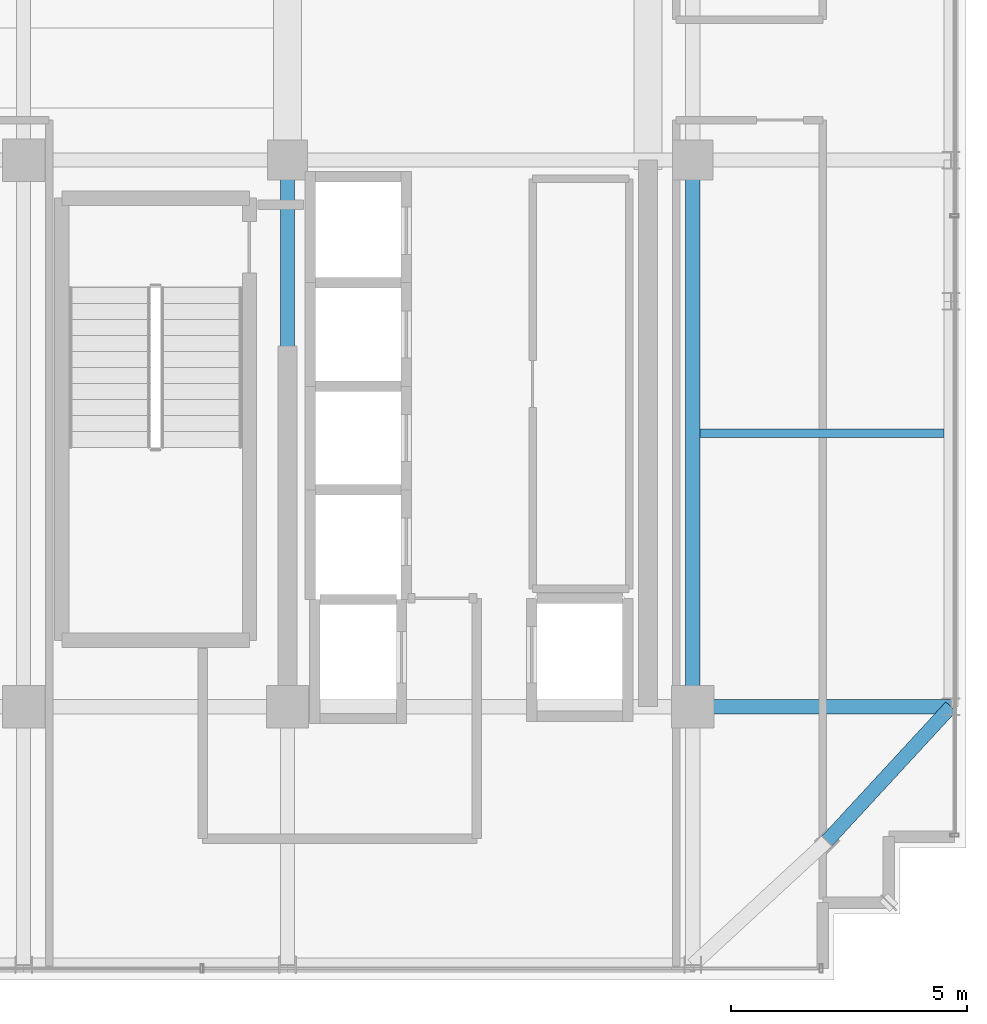
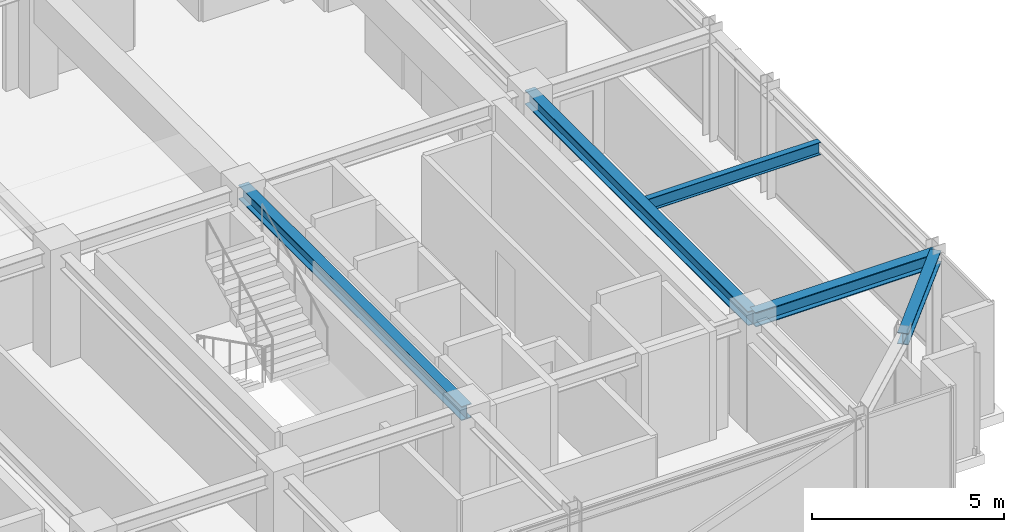
# One storey, part 13 of 36: 5 beams.
"""IFC4 building model written with IfcOpenShell, lengths in metres."""

import ifcopenshell
import ifcopenshell.guid

model = None  # the IFC model being written
_history = None  # IfcOwnerHistory: only IFC2X3 demands one
_inside = {}  # id of a spatial element -> (the spatial element, [elements in it])
_under = {}  # id of a project, library or spatial element -> (it, [spatial elements below it])
_declared = {}  # id of a project -> (the project, [libraries it declares])
_typed = {}  # id of a type object -> (the type object, [elements of that type])
_made_of = {}  # id of a material, layer set ... -> (it, [elements and type objects made of it])


def new_model(schema):
    """Start an empty IFC model of exactly this schema.

    Asked for "IFC4X3", IfcOpenShell would pick the latest addendum, in which some entities
    have other attributes; the version numbers below select the first issue.
    IFC2X3 requires an IfcOwnerHistory on every rooted entity: one is made here for all.
    """
    global model, _history
    if schema == "IFC4X3":
        model = ifcopenshell.file(schema_version=(4, 3, 0, 0))
    else:
        model = ifcopenshell.file(schema=schema)
    _inside.clear()
    _under.clear()
    _declared.clear()
    _typed.clear()
    _made_of.clear()
    _history = None
    if model.schema == "IFC2X3":
        org = make("IfcOrganization", Name="unknown")
        user = make(
            "IfcPersonAndOrganization",
            ThePerson=make("IfcPerson", FamilyName="unknown"),
            TheOrganization=org,
        )
        app = make(
            "IfcApplication",
            ApplicationDeveloper=org,
            Version="unknown",
            ApplicationFullName="unknown",
            ApplicationIdentifier="unknown",
        )
        _history = make(
            "IfcOwnerHistory",
            OwningUser=user,
            OwningApplication=app,
            ChangeAction="ADDED",
            CreationDate=0,
        )
    return model


def make(cls, **values):
    """One entity of the class cls with the attributes given. An attribute that is None is left unset."""
    return model.create_entity(
        cls, **{name: value for name, value in values.items() if value is not None}
    )


def rooted(cls, **values):
    """An entity with a GlobalId (a new one), such as an element, a storey or a relation."""
    return make(cls, GlobalId=ifcopenshell.guid.new(), OwnerHistory=_history, **values)


def si_unit(unit_type, name, prefix=None):
    """IfcSIUnit, for example si_unit("LENGTHUNIT", "METRE", prefix="MILLI")."""
    return make("IfcSIUnit", UnitType=unit_type, Prefix=prefix, Name=name)


def assignment(units):
    """IfcUnitAssignment: the units of a project."""
    return None if units is None else make("IfcUnitAssignment", Units=units)


def point(xyz):
    """IfcCartesianPoint."""
    return None if xyz is None else make("IfcCartesianPoint", Coordinates=xyz)


def direction(xyz):
    """IfcDirection."""
    return None if xyz is None else make("IfcDirection", DirectionRatios=xyz)


def frame(location, z_axis=None, x_axis=None):
    """IfcAxis2Placement3D, a coordinate frame: its origin and axes. An axis left out is left unset."""
    return make(
        "IfcAxis2Placement3D",
        Location=point(location),
        Axis=direction(z_axis),
        RefDirection=direction(x_axis),
    )


def frame_2d(location, x_axis=None):
    """IfcAxis2Placement2D, a coordinate frame in the plane: its origin and x axis."""
    return make(
        "IfcAxis2Placement2D", Location=point(location), RefDirection=direction(x_axis)
    )


def origin():
    """The frame at (0, 0, 0) with its axes left unset."""
    return frame((0.0, 0.0, 0.0))


def origin_2d():
    """The frame at (0, 0) in the plane with its x axis left unset."""
    return frame_2d((0.0, 0.0))


def place(relative_to, where):
    """IfcLocalPlacement: puts the frame where relative to a parent placement (None: the world)."""
    return make(
        "IfcLocalPlacement", PlacementRelTo=relative_to, RelativePlacement=where
    )


def context(
    kind, dimensions, precision=None, world=None, true_north=None, identifier=None
):
    """IfcGeometricRepresentationContext, for example the 3D "Model" context."""
    return make(
        "IfcGeometricRepresentationContext",
        ContextIdentifier=identifier,
        ContextType=kind,
        CoordinateSpaceDimension=dimensions,
        Precision=precision,
        WorldCoordinateSystem=world,
        TrueNorth=true_north,
    )


def subcontext(parent, identifier, kind, view, scale=None):
    """IfcGeometricRepresentationSubContext, for example "Body" below "Model"."""
    return make(
        "IfcGeometricRepresentationSubContext",
        ContextIdentifier=identifier,
        ContextType=kind,
        ParentContext=parent,
        TargetScale=scale,
        TargetView=view,
    )


def project(units=None, contexts=None):
    """IfcProject with its units and contexts."""
    return rooted(
        "IfcProject",
        Name="project",
        RepresentationContexts=contexts,
        UnitsInContext=assignment(units),
    )


def spatial(cls, under=None, at=None, **own):
    """A site, building, storey or space (cls), placed at a placement, below another one or the project."""
    s = rooted(cls, ObjectPlacement=at, **own)
    if under is not None:
        _under.setdefault(under.id(), (under, []))[1].append(s)
    return s


def profile(cls, at=None, kind="AREA", **sizes):
    """A parametric profile (cls). Its sizes go by their IFC names, for example OverallWidth=200.0."""
    return make(cls, ProfileType=kind, Position=at, **sizes)


def i_section(**sizes):
    """IfcIShapeProfileDef."""
    return profile("IfcIShapeProfileDef", **sizes)


def extrude(swept, where, along, depth):
    """IfcExtrudedAreaSolid: the profile swept, set in the frame where, extruded along a direction by depth."""
    return make(
        "IfcExtrudedAreaSolid",
        SweptArea=swept,
        Position=where,
        ExtrudedDirection=direction(along),
        Depth=depth,
    )


def shape(context_of_items, identifier, shape_type, items):
    """IfcShapeRepresentation: the items that make up one representation, for example the "Body"."""
    return make(
        "IfcShapeRepresentation",
        ContextOfItems=context_of_items,
        RepresentationIdentifier=identifier,
        RepresentationType=shape_type,
        Items=items,
    )


def source(mapping_origin, context_of_items, identifier, shape_type, items):
    """IfcRepresentationMap: a shape defined once, which mapped items show again and again."""
    return make(
        "IfcRepresentationMap",
        MappingOrigin=mapping_origin,
        MappedRepresentation=shape(context_of_items, identifier, shape_type, items),
    )


def transform(
    local_origin,
    x_axis=None,
    y_axis=None,
    z_axis=None,
    scale=None,
    scale2=None,
    scale3=None,
    uniform=True,
):
    """IfcCartesianTransformationOperator3D, or its non-uniform kind. x_axis, y_axis, z_axis: its Axis1, 2, 3."""
    if uniform:
        return make(
            "IfcCartesianTransformationOperator3D",
            Axis1=direction(x_axis),
            Axis2=direction(y_axis),
            LocalOrigin=point(local_origin),
            Scale=scale,
            Axis3=direction(z_axis),
        )
    return make(
        "IfcCartesianTransformationOperator3DnonUniform",
        Axis1=direction(x_axis),
        Axis2=direction(y_axis),
        LocalOrigin=point(local_origin),
        Scale=scale,
        Axis3=direction(z_axis),
        Scale2=scale2,
        Scale3=scale3,
    )


def mapped(mapping_source, mapping_target):
    """IfcMappedItem: shows the shape of a source again, moved by a transform."""
    return make(
        "IfcMappedItem", MappingSource=mapping_source, MappingTarget=mapping_target
    )


def material(Name=None, Category=None):
    """IfcMaterial."""
    return make("IfcMaterial", Name=Name, Category=Category)


def material_profile(
    of_material, cross_section, Name=None, Category=None, Priority=None
):
    """IfcMaterialProfile: a cross section and its material."""
    return make(
        "IfcMaterialProfile",
        Name=Name,
        Material=of_material,
        Profile=cross_section,
        Priority=Priority,
        Category=Category,
    )


def profile_set(profiles, Name=None, composite=None):
    """IfcMaterialProfileSet."""
    return make(
        "IfcMaterialProfileSet",
        Name=Name,
        MaterialProfiles=profiles,
        CompositeProfile=composite,
    )


def made_of(thing, what):
    """Note that an element or type object is made of a material, layer set ...; save() writes the relation."""
    if what is not None:
        _made_of.setdefault(what.id(), (what, []))[1].append(thing)
    return thing


def type_object(cls, material=None, **own):
    """A type object (cls), such as IfcWallType, which elements share."""
    return made_of(rooted(cls, **own), material)


def element(
    cls,
    number,
    at=None,
    inside=None,
    cuts=None,
    type_object=None,
    material=None,
    context=None,
    identifier="Body",
    shape_type=None,
    held_by="IfcProductDefinitionShape",
    body=None,
    shapes=None,
    **own,
):
    """One element of the class cls, such as IfcWall. Its Tag is "e" and its number.

    at: its placement. inside: the storey or other place that contains it. cuts: it is an
    opening in that element (IfcRelVoidsElement). A single representation is given by context,
    identifier, shape_type and body (its items); several are given by shapes. held_by: the class
    of the entity that holds the representations. save() writes the other relations.
    """
    e = rooted(cls, Tag="e%d" % number, ObjectPlacement=at, **own)
    if body is not None:
        shapes = [shape(context, identifier, shape_type, body)]
    if shapes is not None:
        e.Representation = make(held_by, Representations=shapes)
    if inside is not None:
        _inside.setdefault(inside.id(), (inside, []))[1].append(e)
    if cuts is not None:
        rooted(
            "IfcRelVoidsElement", RelatingBuildingElement=cuts, RelatedOpeningElement=e
        )
    if type_object is not None:
        _typed.setdefault(type_object.id(), (type_object, []))[1].append(e)
    return made_of(e, material)


def aggregate(whole, parts):
    """IfcRelAggregates: a whole, such as a stair, and the parts it consists of."""
    return rooted("IfcRelAggregates", RelatingObject=whole, RelatedObjects=parts)


def save(model, path):
    """Write the relations noted so far, then the file.

    IfcRelAggregates (storeys below a building ...), IfcRelContainedInSpatialStructure (elements
    in a storey), IfcRelDefinesByType, IfcRelAssociatesMaterial and IfcRelDeclares: one each for
    every whole, place, type object, material and project.
    """
    for whole, parts in _under.values():
        aggregate(whole, parts)
    for where, things in _inside.values():
        rooted(
            "IfcRelContainedInSpatialStructure",
            RelatedElements=things,
            RelatingStructure=where,
        )
    for kind, things in _typed.values():
        rooted("IfcRelDefinesByType", RelatedObjects=things, RelatingType=kind)
    for what, things in _made_of.values():
        rooted("IfcRelAssociatesMaterial", RelatedObjects=things, RelatingMaterial=what)
    for by, libraries in _declared.values():
        rooted("IfcRelDeclares", RelatingContext=by, RelatedDefinitions=libraries)
    model.write(path)


model = new_model("IFC4")

# Units and contexts
model_context = context("Model", 3, precision=1e-05, world=origin(), true_north=direction((0.0, 1.0)))
body_context = subcontext(model_context, "Body", "Model", "MODEL_VIEW")
ifc_project = project(units=[si_unit("LENGTHUNIT", "METRE"), si_unit("AREAUNIT", "SQUARE_METRE"), si_unit("VOLUMEUNIT", "CUBIC_METRE"), si_unit("PLANEANGLEUNIT", "RADIAN"), si_unit("MASSUNIT", "GRAM", prefix="KILO")], contexts=[model_context])

# Site, building, storey
site_placement = place(None, origin())
site = spatial("IfcSite", under=ifc_project, at=site_placement, CompositionType="ELEMENT")
building_placement = place(site_placement, origin())
building = spatial("IfcBuilding", under=site, at=building_placement, Name="Nahalor Promenade Grand Hotel", CompositionType="ELEMENT")
storey_placement = place(building_placement, frame((0.0, 0.0, 273.800048828125)))
storey = spatial("IfcBuildingStorey", under=building, at=storey_placement, Name="L70", CompositionType="ELEMENT", Elevation=273.800048828125)

# Beams
ifc_material = material(Name="Steel S355JR", Category="steel")
ifc_material_profile_1 = material_profile(ifc_material, i_section(OverallWidth=0.3, OverallDepth=0.45, WebThickness=0.014, FlangeThickness=0.026, at=origin_2d()), Name="HEB 450")
ifc_profile_set_1 = profile_set([ifc_material_profile_1], Name="Steel S355JR")
beam_type_1 = type_object("IfcBeamType", Name="Beam-Girder-HEB450", PredefinedType="BEAM", material=ifc_profile_set_1)
shared_shape_1 = source(origin(), body_context, "Body", "SweptSolid", [
    extrude(i_section(OverallWidth=0.3, OverallDepth=0.45, WebThickness=0.014, FlangeThickness=0.026, at=origin_2d()), origin(), (0.0, 0.0, 1.0), 11.60009765625),
])
for number, where, z_axis, x_axis, name in (
    (1, (8.39990234375, -17.0, 3.224853515625), (0.0, 1.0, 0.0), (-1.0, 0.0, 0.0), "BM-L70-GY-4-1"),
    (2, (17.0, -17.0, 3.224853515625), (0.0, 1.0, 0.0), (-1.0, 0.0, 0.0), "BM-L70-GY-5-1"),
):
    element("IfcBeam", number, at=place(storey_placement, frame(where, z_axis=z_axis, x_axis=x_axis)), inside=storey, type_object=beam_type_1, Name=name, PredefinedType="BEAM", context=body_context, shape_type="MappedRepresentation", body=[
        mapped(shared_shape_1, transform((0.0, 0.0, 0.0), scale=1.0)),
    ])
shared_shape_2 = source(origin(), body_context, "Body", "SweptSolid", [
    extrude(i_section(OverallWidth=0.3, OverallDepth=0.45, WebThickness=0.014, FlangeThickness=0.026, at=origin_2d()), origin(), (0.0, 0.0, 1.0), 5.47998046875),
])
beam_1_placement = place(storey_placement, frame((17.0, -17.0, 3.224853515625), z_axis=(1.0, 0.0, 0.0), x_axis=(0.0, 1.0, 0.0)))
element("IfcBeam", 3, at=beam_1_placement, inside=storey, type_object=beam_type_1, Name="BM-L70-GX-0-6", PredefinedType="BEAM", context=body_context, shape_type="MappedRepresentation", body=[
    mapped(shared_shape_2, transform((0.0, 0.0, 0.0), scale=1.0)),
])
ifc_material_profile_2 = material_profile(ifc_material, i_section(OverallWidth=0.18, OverallDepth=0.4, WebThickness=0.0086, FlangeThickness=0.0135, at=origin_2d()), Name="IPE 400")
ifc_profile_set_2 = profile_set([ifc_material_profile_2], Name="Steel S355JR")
beam_type_2 = type_object("IfcBeamType", Name="Beam-Joist-IPE400", PredefinedType="JOIST", material=ifc_profile_set_2)
shared_shape_3 = source(origin(), body_context, "Body", "SweptSolid", [
    extrude(i_section(OverallWidth=0.18, OverallDepth=0.4, WebThickness=0.0086, FlangeThickness=0.0135, at=origin_2d()), origin(), (0.0, 0.0, 1.0), 5.18017578125),
])
beam_2_placement = place(storey_placement, frame((17.14990234375, -11.199951171875, 3.25), z_axis=(1.0, 0.0, 0.0), x_axis=(0.0, 1.0, 0.0)))
element("IfcBeam", 4, at=beam_2_placement, inside=storey, type_object=beam_type_2, Name="BM-L70-JSE-0-2", PredefinedType="JOIST", context=body_context, shape_type="MappedRepresentation", body=[
    mapped(shared_shape_3, transform((0.0, 0.0, 0.0), scale=1.0)),
])
ifc_material_profile_3 = material_profile(ifc_material, i_section(OverallWidth=0.3, OverallDepth=0.36, WebThickness=0.0125, FlangeThickness=0.0225, at=origin_2d()), Name="HEB 360")
ifc_profile_set_3 = profile_set([ifc_material_profile_3], Name="Steel S355JR")
beam_type_3 = type_object("IfcBeamType", Name="Beam-Spandrel-HEB360", PredefinedType="SPANDREL", material=ifc_profile_set_3)
shared_shape_4 = source(origin(), body_context, "Body", "SweptSolid", [
    extrude(i_section(OverallWidth=0.3, OverallDepth=0.36, WebThickness=0.0125, FlangeThickness=0.0225, at=origin_2d()), origin(), (0.0, 0.0, 1.0), 3.878173828125),
])
beam_3_placement = place(storey_placement, frame((19.85009765625, -19.85009765625, 3.27001953125), z_axis=(0.678144125843, 0.73492893846, 0.0), x_axis=(-0.73492893846, 0.678144125843, 0.0)))
element("IfcBeam", 5, at=beam_3_placement, inside=storey, type_object=beam_type_3, Name="BM-L70-SPC-SE-2", PredefinedType="SPANDREL", context=body_context, shape_type="MappedRepresentation", body=[
    mapped(shared_shape_4, transform((0.0, 0.0, 0.0), scale=1.0)),
])

save(model, "model.ifc")
